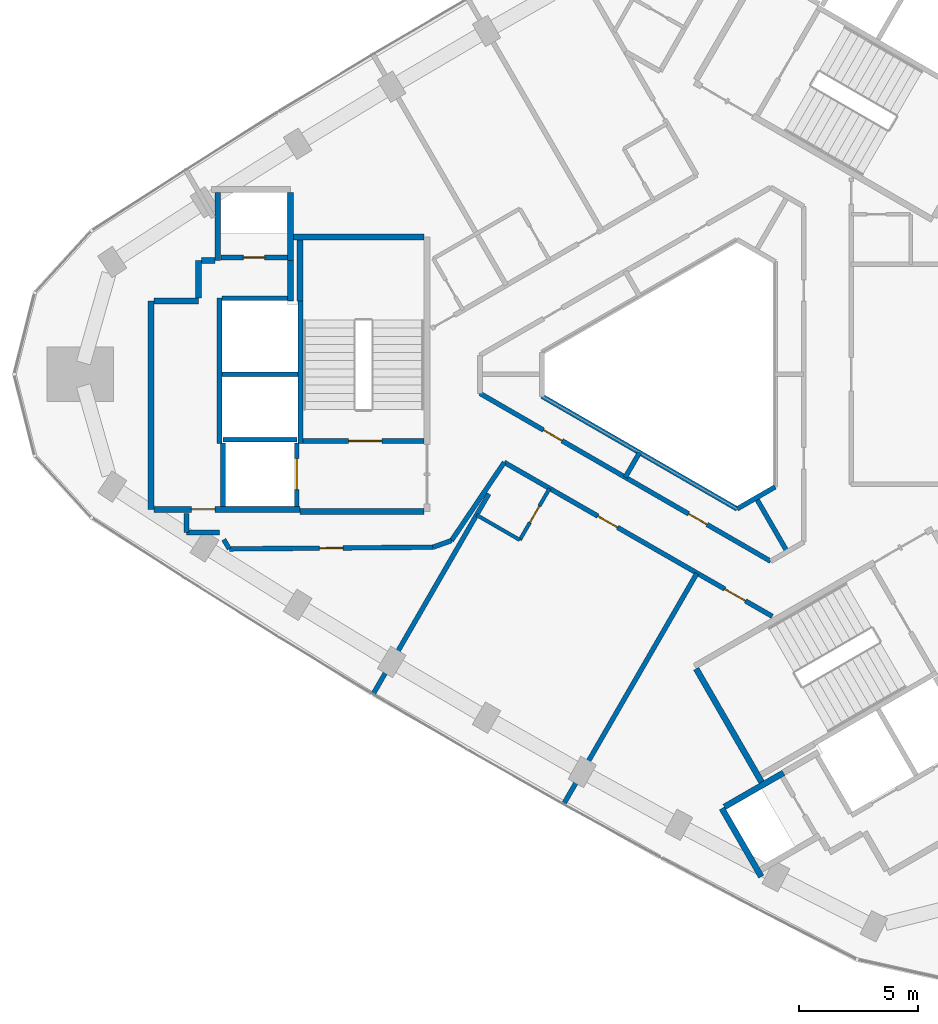
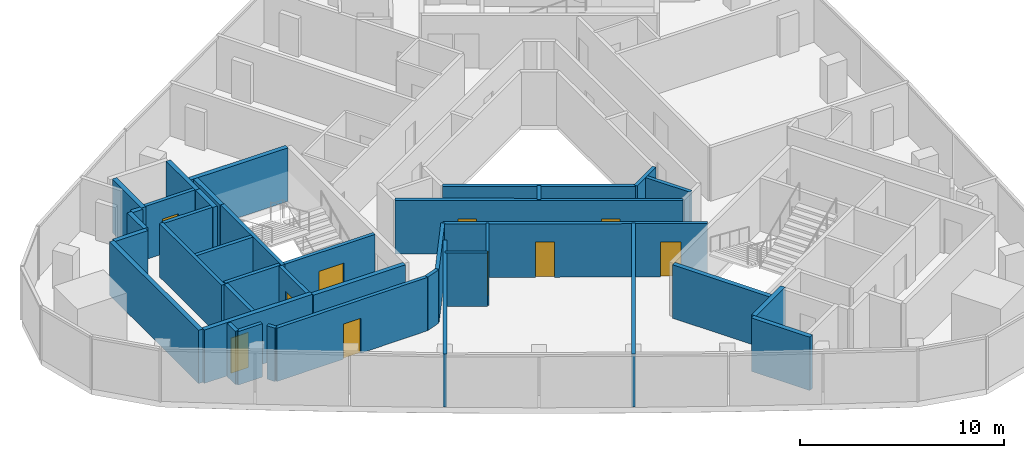
# One storey, part 7 of 11: 39 walls, 10 doors, 10 openings.
"""IFC4 building model written with IfcOpenShell, lengths in metres."""

from ifc_helpers import new_model, si_unit, direction, frame, frame_2d, origin, place, context, subcontext, project, spatial, rectangle, extrude, material, layer, layer_set, type_object, element, fill, save


model = new_model("IFC4")

# Units and contexts
model_context = context("Model", 3, precision=1e-05, world=origin(), true_north=direction((0.0, 1.0)))
body_context = subcontext(model_context, "Body", "Model", "MODEL_VIEW")
ifc_project = project(units=[si_unit("LENGTHUNIT", "METRE"), si_unit("AREAUNIT", "SQUARE_METRE"), si_unit("VOLUMEUNIT", "CUBIC_METRE"), si_unit("PLANEANGLEUNIT", "RADIAN"), si_unit("MASSUNIT", "GRAM", prefix="KILO")], contexts=[model_context])

# Site, building, storey
site_placement = place(None, origin())
site = spatial("IfcSite", under=ifc_project, at=site_placement, CompositionType="ELEMENT")
building_placement = place(site_placement, origin())
building = spatial("IfcBuilding", under=site, at=building_placement, Name="Tamra Quay Hotel Tower", CompositionType="ELEMENT")
storey_placement = place(building_placement, frame((0.0, 0.0, 253.800048828125)))
storey = spatial("IfcBuildingStorey", under=building, at=storey_placement, Name="L64", CompositionType="ELEMENT", Elevation=253.800048828125)

# Walls
ifc_material_1 = material(Name="Concrete M70", Category="concrete")
ifc_layer_1 = layer(ifc_material_1, 0.199951171875)
ifc_layer_set_1 = layer_set([ifc_layer_1], Name="Concrete M70 core wall 200")
wall_type_1 = type_object("IfcWallType", Name="Concrete M70 core wall 200", PredefinedType="SHEAR", material=ifc_layer_set_1)
wall_1_placement = place(storey_placement, frame((-16.162109375, 3.073974609375, 0.0), z_axis=(0.0, 0.0, 1.0), x_axis=(0.0, -1.0, 0.0)))
element("IfcWall", 1, at=wall_1_placement, inside=storey, type_object=wall_type_1, Name="CW2", PredefinedType="SHEAR", context=body_context, shape_type="SweptSolid", body=[
    extrude(rectangle(XDim=5.97412109375, YDim=0.199951171875, at=frame_2d((2.987060546875, 0.0))), origin(), (0.0, 0.0, 1.0), 3.199951171875),
])
wall_2_placement = place(storey_placement, frame((-19.5625, -2.900146484375, 0.0), z_axis=(0.0, 0.0, 1.0), x_axis=(0.0, 1.0, 0.0)))
element("IfcWall", 2, at=wall_2_placement, inside=storey, type_object=wall_type_1, Name="CW2", PredefinedType="SHEAR", context=body_context, shape_type="SweptSolid", body=[
    extrude(rectangle(XDim=6.100341796875, YDim=0.199951171875, at=frame_2d((3.05029296875, 0.0))), origin(), (0.0, 0.0, 1.0), 3.199951171875),
])

# Wall, opening, door
wall_3_placement = place(storey_placement, frame((-10.96337890625, -2.800048828125, 0.0), z_axis=(0.0, 0.0, 1.0), x_axis=(-1.0, 0.0, 0.0)))
wall_3 = element("IfcWall", 3, at=wall_3_placement, inside=storey, type_object=wall_type_1, Name="CW2", PredefinedType="SHEAR", context=body_context, shape_type="SweptSolid", body=[
    extrude(rectangle(XDim=5.097900390625, YDim=0.199951171875, at=frame_2d((2.548828125, 0.0))), origin(), (0.0, 0.0, 1.0), 3.199951171875),
])
opening_1_placement = place(wall_3_placement, frame((1.77392578125, 0.0, 0.0)))
opening_1 = element("IfcOpeningElement", 4, at=opening_1_placement, cuts=wall_3, Name="Opening FD2", PredefinedType="OPENING", context=body_context, shape_type="SweptSolid", body=[
    extrude(rectangle(XDim=1.39990234375, YDim=2.10009765625, at=frame_2d((0.699951171875, 1.050048828125))), frame((0.0, 0.10986328125, 0.0), z_axis=(0.0, -1.0, 0.0), x_axis=(1.0, 0.0, 0.0)), (0.0, 0.0, 1.0), 0.219970703125),
])
ifc_material_2 = material(Name="Core door FD2 1400x2100 LH")
door_type_1 = type_object("IfcDoorType", Name="Core door FD2 1400x2100 LH", OperationType="NOTDEFINED", PredefinedType="DOOR", material=ifc_material_2)
door_1_placement = place(opening_1_placement, origin())
door_1 = element("IfcDoor", 5, at=door_1_placement, inside=storey, type_object=door_type_1, Name="FD2", OperationType="SINGLE_SWING_LEFT", OverallHeight=2.10009765625, OverallWidth=1.39990234375, PredefinedType="DOOR", context=body_context, shape_type="SweptSolid", body=[
    extrude(rectangle(XDim=1.39990234375, YDim=2.10009765625, at=frame_2d((0.699951171875, 1.050048828125))), frame((0.0, 0.02490234375, 0.0), z_axis=(0.0, -1.0, 0.0), x_axis=(1.0, 0.0, 0.0)), (0.0, 0.0, 1.0), 0.050048828125),
])
fill(opening_1, door_1)

# Wall
wall_4_placement = place(storey_placement, frame((-16.26318359375, 0.0, 0.0), z_axis=(0.0, 0.0, 1.0), x_axis=(-1.0, 0.0, 0.0)))
element("IfcWall", 6, at=wall_4_placement, inside=storey, type_object=wall_type_1, Name="CW2", PredefinedType="SHEAR", context=body_context, shape_type="SweptSolid", body=[
    extrude(rectangle(XDim=3.1982421875, YDim=0.199951171875, at=frame_2d((1.59912109375, 0.0))), origin(), (0.0, 0.0, 1.0), 3.199951171875),
])

# Wall, opening, door
wall_5_placement = place(storey_placement, frame((-19.51123046875, 4.91015625, 0.0), z_axis=(0.0, 0.0, 1.0), x_axis=(1.0, 0.0, 0.0)))
wall_5 = element("IfcWall", 7, at=wall_5_placement, inside=storey, type_object=wall_type_1, Name="CW2", PredefinedType="SHEAR", context=body_context, shape_type="SweptSolid", body=[
    extrude(rectangle(XDim=2.7978515625, YDim=0.199951171875, at=frame_2d((1.39892578125, 0.0))), origin(), (0.0, 0.0, 1.0), 3.199951171875),
])
opening_2_placement = place(wall_5_placement, frame((0.948974609375, 0.0, 0.0)))
opening_2 = element("IfcOpeningElement", 8, at=opening_2_placement, cuts=wall_5, Name="Opening D1", PredefinedType="OPENING", context=body_context, shape_type="SweptSolid", body=[
    extrude(rectangle(XDim=0.89990234375, YDim=2.10009765625, at=frame_2d((0.449951171875, 1.050048828125))), frame((0.0, 0.10986328125, 0.0), z_axis=(0.0, -1.0, 0.0), x_axis=(1.0, 0.0, 0.0)), (0.0, 0.0, 1.0), 0.219970703125),
])
ifc_material_3 = material(Name="Core door D1 900x2100 RH")
door_type_2 = type_object("IfcDoorType", Name="Core door D1 900x2100 RH", OperationType="NOTDEFINED", PredefinedType="DOOR", material=ifc_material_3)
door_2_placement = place(opening_2_placement, origin())
door_2 = element("IfcDoor", 9, at=door_2_placement, inside=storey, type_object=door_type_2, Name="D1", OperationType="SINGLE_SWING_RIGHT", OverallHeight=2.10009765625, OverallWidth=0.89990234375, PredefinedType="DOOR", context=body_context, shape_type="SweptSolid", body=[
    extrude(rectangle(XDim=0.89990234375, YDim=2.10009765625, at=frame_2d((0.449951171875, 1.050048828125))), frame((0.0, 0.02490234375, 0.0), z_axis=(0.0, -1.0, 0.0), x_axis=(1.0, 0.0, 0.0)), (0.0, 0.0, 1.0), 0.050048828125),
])
fill(opening_2, door_2)

# Walls
wall_6_placement = place(storey_placement, frame((-19.46240234375, 3.2001953125, 0.0), z_axis=(0.0, 0.0, 1.0), x_axis=(1.0, 0.0, 0.0)))
element("IfcWall", 10, at=wall_6_placement, inside=storey, type_object=wall_type_1, Name="CW2", PredefinedType="SHEAR", context=body_context, shape_type="SweptSolid", body=[
    extrude(rectangle(XDim=2.759033203125, YDim=0.199951171875, at=frame_2d((1.37939453125, 0.0))), origin(), (0.0, 0.0, 1.0), 3.199951171875),
])
wall_7_placement = place(storey_placement, frame((-19.412353515625, -2.75, 0.0), z_axis=(0.0, 0.0, 1.0), x_axis=(1.0, 0.0, 0.0)))
element("IfcWall", 11, at=wall_7_placement, inside=storey, type_object=wall_type_1, Name="CW2", PredefinedType="SHEAR", context=body_context, shape_type="SweptSolid", body=[
    extrude(rectangle(XDim=3.10009765625, YDim=0.199951171875, at=frame_2d((1.550048828125, 0.0))), origin(), (0.0, 0.0, 1.0), 3.199951171875),
])

# Wall, opening, door
wall_8_placement = place(storey_placement, frame((-16.312255859375, -2.898193359375, 0.0), z_axis=(0.0, 0.0, 1.0), x_axis=(0.0, -1.0, 0.0)))
wall_8 = element("IfcWall", 12, at=wall_8_placement, inside=storey, type_object=wall_type_1, Name="CW2", PredefinedType="SHEAR", context=body_context, shape_type="SweptSolid", body=[
    extrude(rectangle(XDim=2.65087890625, YDim=0.199951171875, at=frame_2d((1.325439453125, 0.0))), origin(), (0.0, 0.0, 1.0), 3.199951171875),
])
opening_3_placement = place(wall_8_placement, frame((0.65185546875, 0.0, 0.0)))
opening_3 = element("IfcOpeningElement", 13, at=opening_3_placement, cuts=wall_8, Name="Opening LD", PredefinedType="OPENING", context=body_context, shape_type="SweptSolid", body=[
    extrude(rectangle(XDim=1.300048828125, YDim=2.10009765625, at=frame_2d((0.64990234375, 1.050048828125))), frame((0.0, 0.10986328125, 0.0), z_axis=(0.0, -1.0, 0.0), x_axis=(1.0, 0.0, 0.0)), (0.0, 0.0, 1.0), 0.219970703125),
])
ifc_material_4 = material(Name="Landing door LD 1300 sliding to left")
door_type_3 = type_object("IfcDoorType", Name="Landing door LD 1300 sliding to left", OperationType="NOTDEFINED", PredefinedType="DOOR", material=ifc_material_4)
door_3_placement = place(opening_3_placement, origin())
door_3 = element("IfcDoor", 14, at=door_3_placement, inside=storey, type_object=door_type_3, Name="LD", OperationType="SLIDING_TO_LEFT", OverallHeight=2.10009765625, OverallWidth=1.300048828125, PredefinedType="DOOR", context=body_context, shape_type="SweptSolid", body=[
    extrude(rectangle(XDim=1.300048828125, YDim=2.10009765625, at=frame_2d((0.64990234375, 1.050048828125))), frame((0.0, 0.02490234375, 0.0), z_axis=(0.0, -1.0, 0.0), x_axis=(1.0, 0.0, 0.0)), (0.0, 0.0, 1.0), 0.050048828125),
])
fill(opening_3, door_3)

# Walls
wall_9_placement = place(storey_placement, frame((-19.412353515625, -5.549072265625, 0.0), z_axis=(0.0, 0.0, 1.0), x_axis=(0.0, 1.0, 0.0)))
element("IfcWall", 15, at=wall_9_placement, inside=storey, type_object=wall_type_1, Name="CW2", PredefinedType="SHEAR", context=body_context, shape_type="SweptSolid", body=[
    extrude(rectangle(XDim=2.65087890625, YDim=0.199951171875, at=frame_2d((1.325439453125, 0.0))), origin(), (0.0, 0.0, 1.0), 3.199951171875),
])
ifc_layer_2 = layer(ifc_material_1, 0.25)
ifc_layer_set_2 = layer_set([ifc_layer_2], Name="Concrete M70 core wall 250")
wall_type_2 = type_object("IfcWallType", Name="Concrete M70 core wall 250", PredefinedType="SHEAR", material=ifc_layer_set_2)
wall_10_placement = place(storey_placement, frame((-22.437255859375, -5.675048828125, 0.0), z_axis=(0.0, 0.0, 1.0), x_axis=(0.0, 1.0, 0.0)))
element("IfcWall", 16, at=wall_10_placement, inside=storey, type_object=wall_type_2, Name="CW1", PredefinedType="SHEAR", context=body_context, shape_type="SweptSolid", body=[
    extrude(rectangle(XDim=8.75, YDim=0.25, at=frame_2d((4.375, 0.0))), origin(), (0.0, 0.0, 1.0), 3.199951171875),
])

# Wall, opening, door
wall_11_placement = place(storey_placement, frame((-16.187255859375, -5.675048828125, 0.0), z_axis=(0.0, 0.0, 1.0), x_axis=(-1.0, 0.0, 0.0)))
wall_11 = element("IfcWall", 17, at=wall_11_placement, inside=storey, type_object=wall_type_2, Name="CW1", PredefinedType="SHEAR", context=body_context, shape_type="SweptSolid", body=[
    extrude(rectangle(XDim=6.12451171875, YDim=0.25, at=frame_2d((3.062255859375, 0.0))), origin(), (0.0, 0.0, 1.0), 3.199951171875),
])
opening_4_placement = place(wall_11_placement, frame((3.562744140625, 0.0, 0.0)))
opening_4 = element("IfcOpeningElement", 18, at=opening_4_placement, cuts=wall_11, Name="Opening FD3", PredefinedType="OPENING", context=body_context, shape_type="SweptSolid", body=[
    extrude(rectangle(XDim=1.0, YDim=2.10009765625, at=frame_2d((0.5, 1.050048828125))), frame((0.0, 0.135009765625, 0.0), z_axis=(0.0, -1.0, 0.0), x_axis=(1.0, 0.0, 0.0)), (0.0, 0.0, 1.0), 0.27001953125),
])
ifc_material_5 = material(Name="Core door FD3 1000x2100 LH")
door_type_4 = type_object("IfcDoorType", Name="Core door FD3 1000x2100 LH", OperationType="NOTDEFINED", PredefinedType="DOOR", material=ifc_material_5)
door_4_placement = place(opening_4_placement, origin())
door_4 = element("IfcDoor", 19, at=door_4_placement, inside=storey, type_object=door_type_4, Name="FD3", OperationType="SINGLE_SWING_LEFT", OverallHeight=2.10009765625, OverallWidth=1.0, PredefinedType="DOOR", context=body_context, shape_type="SweptSolid", body=[
    extrude(rectangle(XDim=1.0, YDim=2.10009765625, at=frame_2d((0.5, 1.050048828125))), frame((0.0, 0.02490234375, 0.0), z_axis=(0.0, -1.0, 0.0), x_axis=(1.0, 0.0, 0.0)), (0.0, 0.0, 1.0), 0.050048828125),
])
fill(opening_4, door_4)

# Walls
wall_12_placement = place(storey_placement, frame((-10.962646484375, -5.77490234375, 0.0), z_axis=(0.0, 0.0, 1.0), x_axis=(-1.0, 0.0, 0.0)))
element("IfcWall", 20, at=wall_12_placement, inside=storey, type_object=wall_type_2, Name="CW1", PredefinedType="SHEAR", context=body_context, shape_type="SweptSolid", body=[
    extrude(rectangle(XDim=5.224609375, YDim=0.25, at=frame_2d((2.6123046875, 0.0))), origin(), (0.0, 0.0, 1.0), 3.199951171875),
])
wall_13_placement = place(storey_placement, frame((-16.47216796875, 5.77490234375, 0.0), z_axis=(0.0, 0.0, 1.0), x_axis=(1.0, 0.0, 0.0)))
element("IfcWall", 21, at=wall_13_placement, inside=storey, type_object=wall_type_2, Name="CW1", PredefinedType="SHEAR", context=body_context, shape_type="SweptSolid", body=[
    extrude(rectangle(XDim=5.509521484375, YDim=0.25, at=frame_2d((2.7548828125, 0.0))), origin(), (0.0, 0.0, 1.0), 3.199951171875),
])
for number, where, z_axis, x_axis, name in (
    (22, (-16.58740234375, 7.649658203125, 0.0), (0.0, 0.0, 1.0), (0.0, -1.0, 0.0), "CW1"),
    (23, (-19.63720703125, 4.784912109375, 0.0), (0.0, 0.0, 1.0), (0.0, 1.0, 0.0), "CW1"),
):
    element("IfcWall", number, at=place(storey_placement, frame(where, z_axis=z_axis, x_axis=x_axis)), inside=storey, type_object=wall_type_2, Name=name, PredefinedType="SHEAR", context=body_context, shape_type="SweptSolid", body=[
        extrude(rectangle(XDim=2.86474609375, YDim=0.25, at=frame_2d((1.432373046875, 0.0))), origin(), (0.0, 0.0, 1.0), 3.199951171875),
    ])
wall_14_placement = place(storey_placement, frame((-16.187255859375, 3.074951171875, 0.0), z_axis=(0.0, 0.0, 1.0), x_axis=(0.0, 1.0, 0.0)))
element("IfcWall", 24, at=wall_14_placement, inside=storey, type_object=wall_type_2, Name="CW1", PredefinedType="SHEAR", context=body_context, shape_type="SweptSolid", body=[
    extrude(rectangle(XDim=2.57470703125, YDim=0.25, at=frame_2d((1.287353515625, 0.0))), origin(), (0.0, 0.0, 1.0), 3.199951171875),
])
wall_15_placement = place(storey_placement, frame((-22.311767578125, 3.074951171875, 0.0), z_axis=(0.0, 0.0, 1.0), x_axis=(1.0, 0.0, 0.0)))
element("IfcWall", 25, at=wall_15_placement, inside=storey, type_object=wall_type_2, Name="CW1", PredefinedType="SHEAR", context=body_context, shape_type="SweptSolid", body=[
    extrude(rectangle(XDim=1.864501953125, YDim=0.25, at=frame_2d((0.93212890625, 0.0))), origin(), (0.0, 0.0, 1.0), 3.199951171875),
])
wall_16_placement = place(storey_placement, frame((-16.577392578125, 4.784912109375, 0.0), z_axis=(0.0, 0.0, 1.0), x_axis=(0.0, -1.0, 0.0)))
element("IfcWall", 26, at=wall_16_placement, inside=storey, type_object=wall_type_2, Name="CW1", PredefinedType="SHEAR", context=body_context, shape_type="SweptSolid", body=[
    extrude(rectangle(XDim=1.7099609375, YDim=0.25, at=frame_2d((0.85498046875, 0.0))), origin(), (0.0, 0.0, 1.0), 3.199951171875),
])
wall_17_placement = place(storey_placement, frame((-20.447265625, 3.200439453125, 0.0), z_axis=(0.0, 0.0, 1.0), x_axis=(0.0, 1.0, 0.0)))
element("IfcWall", 27, at=wall_17_placement, inside=storey, type_object=wall_type_2, Name="CW1", PredefinedType="SHEAR", context=body_context, shape_type="SweptSolid", body=[
    extrude(rectangle(XDim=1.58447265625, YDim=0.25, at=frame_2d((0.792236328125, 0.0))), origin(), (0.0, 0.0, 1.0), 3.199951171875),
])
wall_18_placement = place(storey_placement, frame((-20.32177734375, 4.784912109375, 0.0), z_axis=(0.0, 0.0, 1.0), x_axis=(1.0, 0.0, 0.0)))
element("IfcWall", 28, at=wall_18_placement, inside=storey, type_object=wall_type_2, Name="CW1", PredefinedType="SHEAR", context=body_context, shape_type="SweptSolid", body=[
    extrude(rectangle(XDim=0.55908203125, YDim=0.25, at=frame_2d((0.279541015625, 0.0))), origin(), (0.0, 0.0, 1.0), 3.199951171875),
])
wall_19_placement = place(storey_placement, frame((3.23486328125, -17.15283203125, 0.0), z_axis=(0.0, 0.0, 1.0), x_axis=(-0.500008851346, 0.866020293397, 0.0)))
element("IfcWall", 29, at=wall_19_placement, inside=storey, type_object=wall_type_2, Name="CW1", PredefinedType="SHEAR", context=body_context, shape_type="SweptSolid", body=[
    extrude(rectangle(XDim=5.509765625, YDim=0.25, at=frame_2d((2.7548828125, 0.0))), origin(), (0.0, 0.0, 1.0), 3.199951171875),
])
wall_20_placement = place(storey_placement, frame((3.216796875, -21.12158203125, 0.0), z_axis=(0.0, 0.0, 1.0), x_axis=(-0.499998874531, 0.866026053573, 0.0)))
element("IfcWall", 30, at=wall_20_placement, inside=storey, type_object=wall_type_2, Name="CW1", PredefinedType="SHEAR", context=body_context, shape_type="SweptSolid", body=[
    extrude(rectangle(XDim=3.31298828125, YDim=0.25, at=frame_2d((1.656494140625, 0.0))), origin(), (0.0, 0.0, 1.0), 3.199951171875),
])
wall_21_placement = place(storey_placement, frame((1.6689453125, -18.189697265625, 0.0), z_axis=(0.0, 0.0, 1.0), x_axis=(0.866042235819, 0.499970844928, 0.0)))
element("IfcWall", 31, at=wall_21_placement, inside=storey, type_object=wall_type_2, Name="CW1", PredefinedType="SHEAR", context=body_context, shape_type="SweptSolid", body=[
    extrude(rectangle(XDim=2.864501953125, YDim=0.25, at=frame_2d((1.43212890625, 0.0))), origin(), (0.0, 0.0, 1.0), 3.199951171875),
])
ifc_material_6 = material(Name="Partition corridor wall")
ifc_layer_3 = layer(ifc_material_6, 0.199951171875)
ifc_layer_set_3 = layer_set([ifc_layer_3], Name="Partition corridor wall")
wall_type_3 = type_object("IfcWallType", Name="Partition corridor wall", PredefinedType="PARTITIONING", material=ifc_layer_set_3)
wall_22_placement = place(storey_placement, frame((-20.949951171875, -6.64990234375, 0.0), z_axis=(0.0, 0.0, 1.0), x_axis=(0.0, 1.0, 0.0)))
element("IfcWall", 32, at=wall_22_placement, inside=storey, type_object=wall_type_3, Name="W-C", PredefinedType="PARTITIONING", context=body_context, shape_type="SweptSolid", body=[
    extrude(rectangle(XDim=0.789794921875, YDim=0.199951171875, at=frame_2d((0.39501953125, 0.0))), origin(), (0.0, 0.0, 1.0), 3.199951171875),
])
wall_23_placement = place(storey_placement, frame((-20.949951171875, -6.64990234375, 0.0), z_axis=(0.0, 0.0, 1.0), x_axis=(1.0, 0.0, 0.0)))
element("IfcWall", 33, at=wall_23_placement, inside=storey, type_object=wall_type_3, Name="W-C", PredefinedType="PARTITIONING", context=body_context, shape_type="SweptSolid", body=[
    extrude(rectangle(XDim=1.386962890625, YDim=0.199951171875, at=frame_2d((0.693359375, 0.0))), origin(), (0.0, 0.0, 1.0), 3.199951171875),
])
wall_24_placement = place(storey_placement, frame((-19.14990234375, -7.340087890625, 0.0), z_axis=(0.0, 0.0, 1.0), x_axis=(-0.513785014961, 0.857918969601, 0.0)))
element("IfcWall", 34, at=wall_24_placement, inside=storey, type_object=wall_type_3, Name="W-C", PredefinedType="PARTITIONING", context=body_context, shape_type="SweptSolid", body=[
    extrude(rectangle(XDim=0.454833984375, YDim=0.199951171875, at=frame_2d((0.2275390625, 0.0))), origin(), (0.0, 0.0, 1.0), 3.199951171875),
])

# Wall, opening, door
wall_25_placement = place(storey_placement, frame((-19.14990234375, -7.341064453125, 0.0), z_axis=(0.0, 0.0, 1.0), x_axis=(0.999964623126, 0.008411450351, 0.0)))
wall_25 = element("IfcWall", 35, at=wall_25_placement, inside=storey, type_object=wall_type_3, Name="W-C", PredefinedType="PARTITIONING", context=body_context, shape_type="SweptSolid", body=[
    extrude(rectangle(XDim=8.562255859375, YDim=0.199951171875, at=frame_2d((4.28125, 0.0))), origin(), (0.0, 0.0, 1.0), 3.199951171875),
])
opening_5_placement = place(wall_25_placement, frame((3.78125, 0.0, 0.0)))
opening_5 = element("IfcOpeningElement", 36, at=opening_5_placement, cuts=wall_25, Name="Opening L64-D009", PredefinedType="OPENING", context=body_context, shape_type="SweptSolid", body=[
    extrude(rectangle(XDim=1.0, YDim=2.10009765625, at=frame_2d((0.5, 1.050048828125))), frame((0.0, 0.10986328125, 0.0), z_axis=(0.0, -1.0, 0.0), x_axis=(1.0, 0.0, 0.0)), (0.0, 0.0, 1.0), 0.219970703125),
])
ifc_material_7 = material(Name="Door guest room 1000x2100")
door_type_5 = type_object("IfcDoorType", Name="Door guest room 1000x2100", OperationType="NOTDEFINED", PredefinedType="DOOR", material=ifc_material_7)
door_5_placement = place(opening_5_placement, origin())
door_5 = element("IfcDoor", 37, at=door_5_placement, inside=storey, type_object=door_type_5, Name="L64-D009", OperationType="SINGLE_SWING_LEFT", OverallHeight=2.10009765625, OverallWidth=1.0, PredefinedType="DOOR", context=body_context, shape_type="SweptSolid", body=[
    extrude(rectangle(XDim=1.0, YDim=2.10009765625, at=frame_2d((0.5, 1.050048828125))), frame((0.0, 0.02490234375, 0.0), z_axis=(0.0, -1.0, 0.0), x_axis=(1.0, 0.0, 0.0)), (0.0, 0.0, 1.0), 0.050048828125),
])
fill(opening_5, door_5)

# Walls
wall_26_placement = place(storey_placement, frame((-10.587890625, -7.26904296875, 0.0), z_axis=(0.0, 0.0, 1.0), x_axis=(0.941634876095, 0.336635945974, 0.0)))
element("IfcWall", 38, at=wall_26_placement, inside=storey, type_object=wall_type_3, Name="W-C", PredefinedType="PARTITIONING", context=body_context, shape_type="SweptSolid", body=[
    extrude(rectangle(XDim=0.825927734375, YDim=0.199951171875, at=frame_2d((0.4130859375, 0.0))), origin(), (0.0, 0.0, 1.0), 3.199951171875),
])
wall_27_placement = place(storey_placement, frame((-9.81005859375, -6.990966796875, 0.0), z_axis=(0.0, 0.0, 1.0), x_axis=(0.559616535009, 0.828751671941, 0.0)))
element("IfcWall", 39, at=wall_27_placement, inside=storey, type_object=wall_type_3, Name="W-C", PredefinedType="PARTITIONING", context=body_context, shape_type="SweptSolid", body=[
    extrude(rectangle(XDim=3.96875, YDim=0.199951171875, at=frame_2d((1.984375, 0.0))), origin(), (0.0, 0.0, 1.0), 3.199951171875),
])

# Wall, openings, doors
wall_28_placement = place(storey_placement, frame((-8.612060546875, -0.801025390625, 0.0), z_axis=(0.0, 0.0, 1.0), x_axis=(0.865998070783, -0.50004733916, 0.0)))
wall_28 = element("IfcWall", 40, at=wall_28_placement, inside=storey, type_object=wall_type_3, Name="W-C", PredefinedType="PARTITIONING", context=body_context, shape_type="SweptSolid", body=[
    extrude(rectangle(XDim=14.115478515625, YDim=0.199951171875, at=frame_2d((7.0576171875, 0.0))), origin(), (0.0, 0.0, 1.0), 3.199951171875),
])
opening_6_placement = place(wall_28_placement, frame((3.084716796875, 0.0, 0.0)))
opening_6 = element("IfcOpeningElement", 41, at=opening_6_placement, cuts=wall_28, Name="Opening L64-D022", PredefinedType="OPENING", context=body_context, shape_type="SweptSolid", body=[
    extrude(rectangle(XDim=0.89990234375, YDim=2.10009765625, at=frame_2d((0.449951171875, 1.050048828125))), frame((0.0, 0.10986328125, 0.0), z_axis=(0.0, -1.0, 0.0), x_axis=(1.0, 0.0, 0.0)), (0.0, 0.0, 1.0), 0.219970703125),
])
opening_7_placement = place(wall_28_placement, frame((10.130615234375, 0.0, 0.0)))
opening_7 = element("IfcOpeningElement", 42, at=opening_7_placement, cuts=wall_28, Name="Opening L64-D023", PredefinedType="OPENING", context=body_context, shape_type="SweptSolid", body=[
    extrude(rectangle(XDim=0.89990234375, YDim=2.10009765625, at=frame_2d((0.449951171875, 1.050048828125))), frame((0.0, 0.10986328125, 0.0), z_axis=(0.0, -1.0, 0.0), x_axis=(1.0, 0.0, 0.0)), (0.0, 0.0, 1.0), 0.219970703125),
])
ifc_material_8 = material(Name="Door service room 900x2100")
door_type_6 = type_object("IfcDoorType", Name="Door service room 900x2100", OperationType="NOTDEFINED", PredefinedType="DOOR", material=ifc_material_8)
door_6_placement = place(opening_6_placement, origin())
door_6 = element("IfcDoor", 43, at=door_6_placement, inside=storey, type_object=door_type_6, Name="L64-D022", OperationType="SINGLE_SWING_LEFT", OverallHeight=2.10009765625, OverallWidth=0.89990234375, PredefinedType="DOOR", context=body_context, shape_type="SweptSolid", body=[
    extrude(rectangle(XDim=0.89990234375, YDim=2.10009765625, at=frame_2d((0.449951171875, 1.050048828125))), frame((0.0, 0.02490234375, 0.0), z_axis=(0.0, -1.0, 0.0), x_axis=(1.0, 0.0, 0.0)), (0.0, 0.0, 1.0), 0.050048828125),
])
fill(opening_6, door_6)
door_7_placement = place(opening_7_placement, origin())
door_7 = element("IfcDoor", 44, at=door_7_placement, inside=storey, type_object=door_type_6, Name="L64-D023", OperationType="SINGLE_SWING_LEFT", OverallHeight=2.10009765625, OverallWidth=0.89990234375, PredefinedType="DOOR", context=body_context, shape_type="SweptSolid", body=[
    extrude(rectangle(XDim=0.89990234375, YDim=2.10009765625, at=frame_2d((0.449951171875, 1.050048828125))), frame((0.0, 0.02490234375, 0.0), z_axis=(0.0, -1.0, 0.0), x_axis=(1.0, 0.0, 0.0)), (0.0, 0.0, 1.0), 0.050048828125),
])
fill(opening_7, door_7)

wall_29_placement = place(storey_placement, frame((-7.589111328125, -3.701904296875, 0.0), z_axis=(0.0, 0.0, 1.0), x_axis=(0.867107959402, -0.498120253293, 0.0)))
wall_29 = element("IfcWall", 45, at=wall_29_placement, inside=storey, type_object=wall_type_3, Name="W-C", PredefinedType="PARTITIONING", context=body_context, shape_type="SweptSolid", body=[
    extrude(rectangle(XDim=12.99609375, YDim=0.199951171875, at=frame_2d((6.498046875, 0.0))), origin(), (0.0, 0.0, 1.0), 3.199951171875),
])
opening_8_placement = place(wall_29_placement, frame((4.535888671875, 0.0, 0.0)))
opening_8 = element("IfcOpeningElement", 46, at=opening_8_placement, cuts=wall_29, Name="Opening L64-D010", PredefinedType="OPENING", context=body_context, shape_type="SweptSolid", body=[
    extrude(rectangle(XDim=0.949951171875, YDim=2.10009765625, at=frame_2d((0.47509765625, 1.050048828125))), frame((0.0, 0.10986328125, 0.0), z_axis=(0.0, -1.0, 0.0), x_axis=(1.0, 0.0, 0.0)), (0.0, 0.0, 1.0), 0.219970703125),
])
opening_9_placement = place(wall_29_placement, frame((10.691162109375, 0.0, 0.0)))
opening_9 = element("IfcOpeningElement", 47, at=opening_9_placement, cuts=wall_29, Name="Opening L64-D012", PredefinedType="OPENING", context=body_context, shape_type="SweptSolid", body=[
    extrude(rectangle(XDim=1.0, YDim=2.10009765625, at=frame_2d((0.5, 1.050048828125))), frame((0.0, 0.10986328125, 0.0), z_axis=(0.0, -1.0, 0.0), x_axis=(1.0, 0.0, 0.0)), (0.0, 0.0, 1.0), 0.219970703125),
])
door_8_placement = place(opening_9_placement, frame((1.0, 0.0, 0.0), z_axis=(0.0, 0.0, 1.0), x_axis=(-1.0, 0.0, 0.0)))
door_8 = element("IfcDoor", 48, at=door_8_placement, inside=storey, type_object=door_type_5, Name="L64-D012", OperationType="SINGLE_SWING_LEFT", OverallHeight=2.10009765625, OverallWidth=1.0, PredefinedType="DOOR", context=body_context, shape_type="SweptSolid", body=[
    extrude(rectangle(XDim=1.0, YDim=2.10009765625, at=frame_2d((0.5, 1.050048828125))), frame((0.0, 0.02490234375, 0.0), z_axis=(0.0, -1.0, 0.0), x_axis=(1.0, 0.0, 0.0)), (0.0, 0.0, 1.0), 0.050048828125),
])
fill(opening_9, door_8)
ifc_material_9 = material(Name="Door guest room 950x2100")
door_type_7 = type_object("IfcDoorType", Name="Door guest room 950x2100", OperationType="NOTDEFINED", PredefinedType="DOOR", material=ifc_material_9)
door_9_placement = place(opening_8_placement, frame((0.949951171875, 0.0, 0.0), z_axis=(0.0, 0.0, 1.0), x_axis=(-1.0, 0.0, 0.0)))
door_9 = element("IfcDoor", 49, at=door_9_placement, inside=storey, type_object=door_type_7, Name="L64-D010", OperationType="SINGLE_SWING_LEFT", OverallHeight=2.10009765625, OverallWidth=0.949951171875, PredefinedType="DOOR", context=body_context, shape_type="SweptSolid", body=[
    extrude(rectangle(XDim=0.949951171875, YDim=2.10009765625, at=frame_2d((0.47509765625, 1.050048828125))), frame((0.0, 0.02490234375, 0.0), z_axis=(0.0, -1.0, 0.0), x_axis=(1.0, 0.0, 0.0)), (0.0, 0.0, 1.0), 0.050048828125),
])
fill(opening_8, door_9)

# Wall
ifc_material_10 = material(Name="Partition en-suite wall")
ifc_layer_4 = layer(ifc_material_10, 0.14990234375)
ifc_layer_set_4 = layer_set([ifc_layer_4], Name="Partition en-suite wall")
wall_type_4 = type_object("IfcWallType", Name="Partition en-suite wall", PredefinedType="PARTITIONING", material=ifc_layer_set_4)
wall_30_placement = place(storey_placement, frame((-8.7548828125, -5.9150390625, 0.0), z_axis=(0.0, 0.0, 1.0), x_axis=(0.866038466041, -0.499977374825, 0.0)))
element("IfcWall", 50, at=wall_30_placement, inside=storey, type_object=wall_type_4, Name="W-E", PredefinedType="PARTITIONING", context=body_context, shape_type="SweptSolid", body=[
    extrude(rectangle(XDim=2.10009765625, YDim=0.14990234375, at=frame_2d((1.050048828125, 0.0))), origin(), (0.0, 0.0, 1.0), 3.199951171875),
])

# Wall, opening, door
wall_31_placement = place(storey_placement, frame((-6.93603515625, -6.965087890625, 0.0), z_axis=(0.0, 0.0, 1.0), x_axis=(0.500004234368, 0.866022959057, 0.0)))
wall_31 = element("IfcWall", 51, at=wall_31_placement, inside=storey, type_object=wall_type_4, Name="W-E", PredefinedType="PARTITIONING", context=body_context, shape_type="SweptSolid", body=[
    extrude(rectangle(XDim=2.5, YDim=0.14990234375, at=frame_2d((1.25, 0.0))), origin(), (0.0, 0.0, 1.0), 3.199951171875),
])
opening_10_placement = place(wall_31_placement, frame((0.849609375, 0.0, 0.0)))
opening_10 = element("IfcOpeningElement", 52, at=opening_10_placement, cuts=wall_31, Name="Opening L64-D011", PredefinedType="OPENING", context=body_context, shape_type="SweptSolid", body=[
    extrude(rectangle(XDim=0.800048828125, YDim=2.10009765625, at=frame_2d((0.39990234375, 1.050048828125))), frame((0.0, 0.0849609375, 0.0), z_axis=(0.0, -1.0, 0.0), x_axis=(1.0, 0.0, 0.0)), (0.0, 0.0, 1.0), 0.169921875),
])
ifc_material_11 = material(Name="Door en-suite 800x2100")
door_type_8 = type_object("IfcDoorType", Name="Door en-suite 800x2100", OperationType="NOTDEFINED", PredefinedType="DOOR", material=ifc_material_11)
door_10_placement = place(opening_10_placement, frame((0.800048828125, 0.0, 0.0), z_axis=(0.0, 0.0, 1.0), x_axis=(-1.0, 0.0, 0.0)))
door_10 = element("IfcDoor", 53, at=door_10_placement, inside=storey, type_object=door_type_8, Name="L64-D011", OperationType="SINGLE_SWING_LEFT", OverallHeight=2.10009765625, OverallWidth=0.800048828125, PredefinedType="DOOR", context=body_context, shape_type="SweptSolid", body=[
    extrude(rectangle(XDim=0.800048828125, YDim=2.10009765625, at=frame_2d((0.39990234375, 1.050048828125))), frame((0.0, 0.02490234375, 0.0), z_axis=(0.0, -1.0, 0.0), x_axis=(1.0, 0.0, 0.0)), (0.0, 0.0, 1.0), 0.050048828125),
])
fill(opening_10, door_10)

# Walls
ifc_material_12 = material(Name="Partition party wall")
ifc_layer_5 = layer(ifc_material_12, 0.199951171875)
ifc_layer_set_5 = layer_set([ifc_layer_5], Name="Partition party wall")
wall_type_5 = type_object("IfcWallType", Name="Partition party wall", PredefinedType="PARTITIONING", material=ifc_layer_set_5)
wall_32_placement = place(storey_placement, frame((-13.107421875, -13.452880859375, 0.0), z_axis=(0.0, 0.0, 1.0), x_axis=(0.500058218288, 0.865991788831, 0.0)))
element("IfcWall", 54, at=wall_32_placement, inside=storey, type_object=wall_type_5, Name="W-P", PredefinedType="PARTITIONING", context=body_context, shape_type="SweptSolid", body=[
    extrude(rectangle(XDim=9.734619140625, YDim=0.199951171875, at=frame_2d((4.8671875, 0.0))), origin(), (0.0, 0.0, 1.0), 3.199951171875),
])
wall_33_placement = place(storey_placement, frame((-6.0, -0.924072265625, 0.0), z_axis=(0.0, 0.0, 1.0), x_axis=(0.866012967051, -0.500021540435, 0.0)))
element("IfcWall", 55, at=wall_33_placement, inside=storey, type_object=wall_type_5, Name="W-P", PredefinedType="PARTITIONING", context=body_context, shape_type="SweptSolid", body=[
    extrude(rectangle(XDim=9.46826171875, YDim=0.199951171875, at=frame_2d((4.734130859375, 0.0))), origin(), (0.0, 0.0, 1.0), 3.199951171875),
])
wall_34_placement = place(storey_placement, frame((-5.0966796875, -18.078125, 0.0), z_axis=(0.0, 0.0, 1.0), x_axis=(0.49996389635, 0.866046247233, 0.0)))
element("IfcWall", 56, at=wall_34_placement, inside=storey, type_object=wall_type_5, Name="W-P", PredefinedType="PARTITIONING", context=body_context, shape_type="SweptSolid", body=[
    extrude(rectangle(XDim=11.203857421875, YDim=0.199951171875, at=frame_2d((5.60205078125, 0.0))), origin(), (0.0, 0.0, 1.0), 3.199951171875),
])
wall_35_placement = place(storey_placement, frame((-2.5009765625, -4.329345703125, 0.0), z_axis=(0.0, 0.0, 1.0), x_axis=(0.500209787201, 0.865904249203, 0.0)))
element("IfcWall", 57, at=wall_35_placement, inside=storey, type_object=wall_type_5, Name="W-P", PredefinedType="PARTITIONING", context=body_context, shape_type="SweptSolid", body=[
    extrude(rectangle(XDim=1.19970703125, YDim=0.199951171875, at=frame_2d((0.599853515625, 0.0))), origin(), (0.0, 0.0, 1.0), 3.199951171875),
])
wall_36_placement = place(storey_placement, frame((2.2001953125, -5.658447265625, 0.0), z_axis=(0.0, 0.0, 1.0), x_axis=(0.865818011038, 0.500359042851, 0.0)))
element("IfcWall", 58, at=wall_36_placement, inside=storey, type_object=wall_type_5, Name="W-P", PredefinedType="PARTITIONING", context=body_context, shape_type="SweptSolid", body=[
    extrude(rectangle(XDim=1.847900390625, YDim=0.199951171875, at=frame_2d((0.923828125, 0.0))), origin(), (0.0, 0.0, 1.0), 3.199951171875),
])
wall_37_placement = place(storey_placement, frame((3.0, -5.196044921875, 0.0), z_axis=(0.0, 0.0, 1.0), x_axis=(0.500076354988, -0.865981315724, 0.0)))
element("IfcWall", 59, at=wall_37_placement, inside=storey, type_object=wall_type_5, Name="W-P", PredefinedType="PARTITIONING", context=body_context, shape_type="SweptSolid", body=[
    extrude(rectangle(XDim=2.607421875, YDim=0.199951171875, at=frame_2d((1.3037109375, 0.0))), origin(), (0.0, 0.0, 1.0), 3.199951171875),
])

save(model, "model.ifc")
